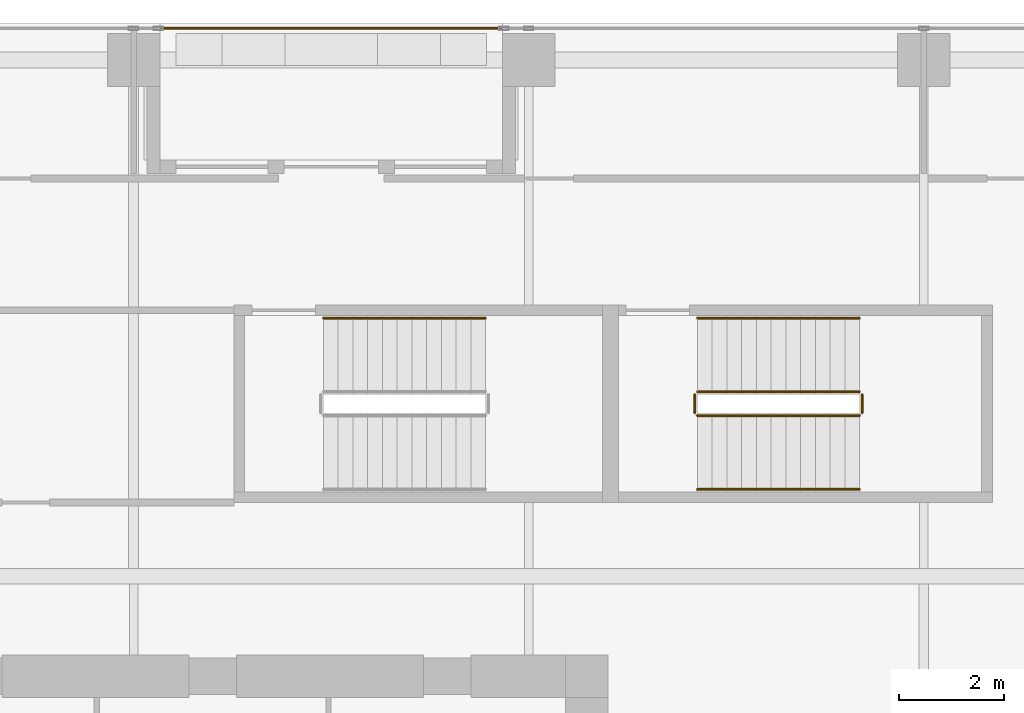
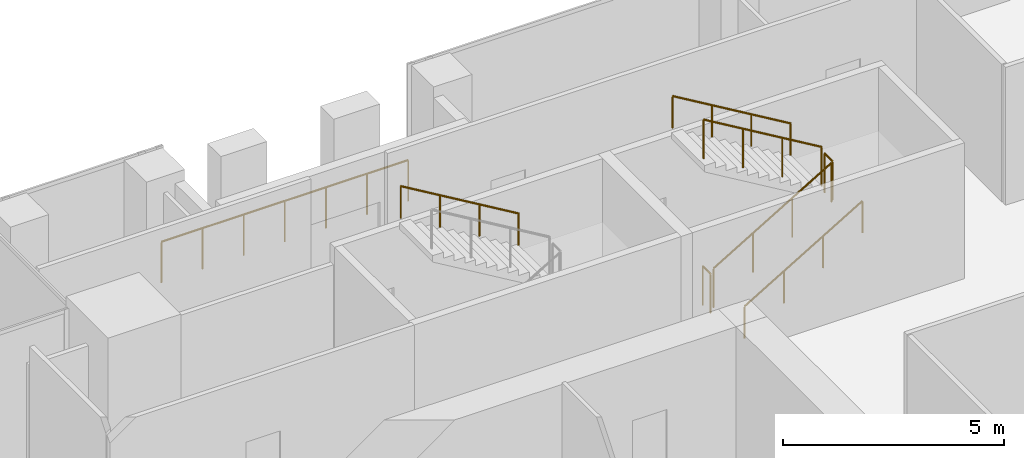
# One storey, part 39 of 40: 8 railings.
"""IFC4 building model written with IfcOpenShell, lengths in metres."""

import ifcopenshell
import ifcopenshell.guid

model = None  # the IFC model being written
_history = None  # IfcOwnerHistory: only IFC2X3 demands one
_inside = {}  # id of a spatial element -> (the spatial element, [elements in it])
_under = {}  # id of a project, library or spatial element -> (it, [spatial elements below it])
_declared = {}  # id of a project -> (the project, [libraries it declares])
_typed = {}  # id of a type object -> (the type object, [elements of that type])
_made_of = {}  # id of a material, layer set ... -> (it, [elements and type objects made of it])


def new_model(schema):
    """Start an empty IFC model of exactly this schema.

    Asked for "IFC4X3", IfcOpenShell would pick the latest addendum, in which some entities
    have other attributes; the version numbers below select the first issue.
    IFC2X3 requires an IfcOwnerHistory on every rooted entity: one is made here for all.
    """
    global model, _history
    if schema == "IFC4X3":
        model = ifcopenshell.file(schema_version=(4, 3, 0, 0))
    else:
        model = ifcopenshell.file(schema=schema)
    _inside.clear()
    _under.clear()
    _declared.clear()
    _typed.clear()
    _made_of.clear()
    _history = None
    if model.schema == "IFC2X3":
        org = make("IfcOrganization", Name="unknown")
        user = make(
            "IfcPersonAndOrganization",
            ThePerson=make("IfcPerson", FamilyName="unknown"),
            TheOrganization=org,
        )
        app = make(
            "IfcApplication",
            ApplicationDeveloper=org,
            Version="unknown",
            ApplicationFullName="unknown",
            ApplicationIdentifier="unknown",
        )
        _history = make(
            "IfcOwnerHistory",
            OwningUser=user,
            OwningApplication=app,
            ChangeAction="ADDED",
            CreationDate=0,
        )
    return model


def make(cls, **values):
    """One entity of the class cls with the attributes given. An attribute that is None is left unset."""
    return model.create_entity(
        cls, **{name: value for name, value in values.items() if value is not None}
    )


def rooted(cls, **values):
    """An entity with a GlobalId (a new one), such as an element, a storey or a relation."""
    return make(cls, GlobalId=ifcopenshell.guid.new(), OwnerHistory=_history, **values)


def si_unit(unit_type, name, prefix=None):
    """IfcSIUnit, for example si_unit("LENGTHUNIT", "METRE", prefix="MILLI")."""
    return make("IfcSIUnit", UnitType=unit_type, Prefix=prefix, Name=name)


def assignment(units):
    """IfcUnitAssignment: the units of a project."""
    return None if units is None else make("IfcUnitAssignment", Units=units)


def point(xyz):
    """IfcCartesianPoint."""
    return None if xyz is None else make("IfcCartesianPoint", Coordinates=xyz)


def direction(xyz):
    """IfcDirection."""
    return None if xyz is None else make("IfcDirection", DirectionRatios=xyz)


def frame(location, z_axis=None, x_axis=None):
    """IfcAxis2Placement3D, a coordinate frame: its origin and axes. An axis left out is left unset."""
    return make(
        "IfcAxis2Placement3D",
        Location=point(location),
        Axis=direction(z_axis),
        RefDirection=direction(x_axis),
    )


def frame_2d(location, x_axis=None):
    """IfcAxis2Placement2D, a coordinate frame in the plane: its origin and x axis."""
    return make(
        "IfcAxis2Placement2D", Location=point(location), RefDirection=direction(x_axis)
    )


def origin():
    """The frame at (0, 0, 0) with its axes left unset."""
    return frame((0.0, 0.0, 0.0))


def origin_2d():
    """The frame at (0, 0) in the plane with its x axis left unset."""
    return frame_2d((0.0, 0.0))


def place(relative_to, where):
    """IfcLocalPlacement: puts the frame where relative to a parent placement (None: the world)."""
    return make(
        "IfcLocalPlacement", PlacementRelTo=relative_to, RelativePlacement=where
    )


def context(
    kind, dimensions, precision=None, world=None, true_north=None, identifier=None
):
    """IfcGeometricRepresentationContext, for example the 3D "Model" context."""
    return make(
        "IfcGeometricRepresentationContext",
        ContextIdentifier=identifier,
        ContextType=kind,
        CoordinateSpaceDimension=dimensions,
        Precision=precision,
        WorldCoordinateSystem=world,
        TrueNorth=true_north,
    )


def subcontext(parent, identifier, kind, view, scale=None):
    """IfcGeometricRepresentationSubContext, for example "Body" below "Model"."""
    return make(
        "IfcGeometricRepresentationSubContext",
        ContextIdentifier=identifier,
        ContextType=kind,
        ParentContext=parent,
        TargetScale=scale,
        TargetView=view,
    )


def project(units=None, contexts=None):
    """IfcProject with its units and contexts."""
    return rooted(
        "IfcProject",
        Name="project",
        RepresentationContexts=contexts,
        UnitsInContext=assignment(units),
    )


def spatial(cls, under=None, at=None, **own):
    """A site, building, storey or space (cls), placed at a placement, below another one or the project."""
    s = rooted(cls, ObjectPlacement=at, **own)
    if under is not None:
        _under.setdefault(under.id(), (under, []))[1].append(s)
    return s


def profile(cls, at=None, kind="AREA", **sizes):
    """A parametric profile (cls). Its sizes go by their IFC names, for example OverallWidth=200.0."""
    return make(cls, ProfileType=kind, Position=at, **sizes)


def circle(**sizes):
    """IfcCircleProfileDef."""
    return profile("IfcCircleProfileDef", **sizes)


def extrude(swept, where, along, depth):
    """IfcExtrudedAreaSolid: the profile swept, set in the frame where, extruded along a direction by depth."""
    return make(
        "IfcExtrudedAreaSolid",
        SweptArea=swept,
        Position=where,
        ExtrudedDirection=direction(along),
        Depth=depth,
    )


def shape(context_of_items, identifier, shape_type, items):
    """IfcShapeRepresentation: the items that make up one representation, for example the "Body"."""
    return make(
        "IfcShapeRepresentation",
        ContextOfItems=context_of_items,
        RepresentationIdentifier=identifier,
        RepresentationType=shape_type,
        Items=items,
    )


def source(mapping_origin, context_of_items, identifier, shape_type, items):
    """IfcRepresentationMap: a shape defined once, which mapped items show again and again."""
    return make(
        "IfcRepresentationMap",
        MappingOrigin=mapping_origin,
        MappedRepresentation=shape(context_of_items, identifier, shape_type, items),
    )


def transform(
    local_origin,
    x_axis=None,
    y_axis=None,
    z_axis=None,
    scale=None,
    scale2=None,
    scale3=None,
    uniform=True,
):
    """IfcCartesianTransformationOperator3D, or its non-uniform kind. x_axis, y_axis, z_axis: its Axis1, 2, 3."""
    if uniform:
        return make(
            "IfcCartesianTransformationOperator3D",
            Axis1=direction(x_axis),
            Axis2=direction(y_axis),
            LocalOrigin=point(local_origin),
            Scale=scale,
            Axis3=direction(z_axis),
        )
    return make(
        "IfcCartesianTransformationOperator3DnonUniform",
        Axis1=direction(x_axis),
        Axis2=direction(y_axis),
        LocalOrigin=point(local_origin),
        Scale=scale,
        Axis3=direction(z_axis),
        Scale2=scale2,
        Scale3=scale3,
    )


def mapped(mapping_source, mapping_target):
    """IfcMappedItem: shows the shape of a source again, moved by a transform."""
    return make(
        "IfcMappedItem", MappingSource=mapping_source, MappingTarget=mapping_target
    )


def material(Name=None, Category=None):
    """IfcMaterial."""
    return make("IfcMaterial", Name=Name, Category=Category)


def made_of(thing, what):
    """Note that an element or type object is made of a material, layer set ...; save() writes the relation."""
    if what is not None:
        _made_of.setdefault(what.id(), (what, []))[1].append(thing)
    return thing


def type_object(cls, material=None, **own):
    """A type object (cls), such as IfcWallType, which elements share."""
    return made_of(rooted(cls, **own), material)


def element(
    cls,
    number,
    at=None,
    inside=None,
    cuts=None,
    type_object=None,
    material=None,
    context=None,
    identifier="Body",
    shape_type=None,
    held_by="IfcProductDefinitionShape",
    body=None,
    shapes=None,
    **own,
):
    """One element of the class cls, such as IfcWall. Its Tag is "e" and its number.

    at: its placement. inside: the storey or other place that contains it. cuts: it is an
    opening in that element (IfcRelVoidsElement). A single representation is given by context,
    identifier, shape_type and body (its items); several are given by shapes. held_by: the class
    of the entity that holds the representations. save() writes the other relations.
    """
    e = rooted(cls, Tag="e%d" % number, ObjectPlacement=at, **own)
    if body is not None:
        shapes = [shape(context, identifier, shape_type, body)]
    if shapes is not None:
        e.Representation = make(held_by, Representations=shapes)
    if inside is not None:
        _inside.setdefault(inside.id(), (inside, []))[1].append(e)
    if cuts is not None:
        rooted(
            "IfcRelVoidsElement", RelatingBuildingElement=cuts, RelatedOpeningElement=e
        )
    if type_object is not None:
        _typed.setdefault(type_object.id(), (type_object, []))[1].append(e)
    return made_of(e, material)


def aggregate(whole, parts):
    """IfcRelAggregates: a whole, such as a stair, and the parts it consists of."""
    return rooted("IfcRelAggregates", RelatingObject=whole, RelatedObjects=parts)


def save(model, path):
    """Write the relations noted so far, then the file.

    IfcRelAggregates (storeys below a building ...), IfcRelContainedInSpatialStructure (elements
    in a storey), IfcRelDefinesByType, IfcRelAssociatesMaterial and IfcRelDeclares: one each for
    every whole, place, type object, material and project.
    """
    for whole, parts in _under.values():
        aggregate(whole, parts)
    for where, things in _inside.values():
        rooted(
            "IfcRelContainedInSpatialStructure",
            RelatedElements=things,
            RelatingStructure=where,
        )
    for kind, things in _typed.values():
        rooted("IfcRelDefinesByType", RelatedObjects=things, RelatingType=kind)
    for what, things in _made_of.values():
        rooted("IfcRelAssociatesMaterial", RelatedObjects=things, RelatingMaterial=what)
    for by, libraries in _declared.values():
        rooted("IfcRelDeclares", RelatingContext=by, RelatedDefinitions=libraries)
    model.write(path)


model = new_model("IFC4")

# Units and contexts
model_context = context("Model", 3, precision=1e-05, world=origin(), true_north=direction((0.0, 1.0)))
body_context = subcontext(model_context, "Body", "Model", "MODEL_VIEW")
ifc_project = project(units=[si_unit("LENGTHUNIT", "METRE"), si_unit("AREAUNIT", "SQUARE_METRE"), si_unit("VOLUMEUNIT", "CUBIC_METRE"), si_unit("PLANEANGLEUNIT", "RADIAN"), si_unit("MASSUNIT", "GRAM", prefix="KILO")], contexts=[model_context])

# Site, building, storey
site_placement = place(None, origin())
site = spatial("IfcSite", under=ifc_project, at=site_placement, CompositionType="ELEMENT")
building_placement = place(site_placement, origin())
building = spatial("IfcBuilding", under=site, at=building_placement, Name="Khomas Fold Tower", CompositionType="ELEMENT")
storey_placement = place(building_placement, frame((0.0, 0.0, 204.699951171875)))
storey = spatial("IfcBuildingStorey", under=building, at=storey_placement, Name="L45", CompositionType="ELEMENT", Elevation=204.699951171875)

# Railings
ifc_material_1 = material(Name="Powder-coated steel", Category="steel")
railing_type_1 = type_object("IfcRailingType", Name="Balcony guard", PredefinedType="GUARDRAIL", material=ifc_material_1)
shared_shape_1 = source(origin(), body_context, "Body", "SweptSolid", [
    extrude(circle(Radius=0.02490234375, at=origin_2d()), frame((0.0, 0.0, 1.125), z_axis=(1.0, 0.0, 0.0), x_axis=(0.0, 1.0, 0.0)), (0.0, 0.0, 1.0), 6.43994140625),
    extrude(circle(Radius=0.02001953125, at=origin_2d()), origin(), (0.0, 0.0, 1.0), 1.099853515625),
    extrude(circle(Radius=0.02001953125, at=origin_2d()), frame((1.0732421875, 0.0, 0.0)), (0.0, 0.0, 1.0), 1.099853515625),
    extrude(circle(Radius=0.02001953125, at=origin_2d()), frame((2.146728515625, 0.0, 0.0)), (0.0, 0.0, 1.0), 1.099853515625),
    extrude(circle(Radius=0.02001953125, at=origin_2d()), frame((3.219970703125, 0.0, 0.0)), (0.0, 0.0, 1.0), 1.099853515625),
    extrude(circle(Radius=0.02001953125, at=origin_2d()), frame((4.293212890625, 0.0, 0.0)), (0.0, 0.0, 1.0), 1.099853515625),
    extrude(circle(Radius=0.02001953125, at=origin_2d()), frame((5.36669921875, 0.0, 0.0)), (0.0, 0.0, 1.0), 1.099853515625),
    extrude(circle(Radius=0.02001953125, at=origin_2d()), frame((6.43994140625, 0.0, 0.0)), (0.0, 0.0, 1.0), 1.099853515625),
])
railing_1_placement = place(storey_placement, frame((12.530029296875, 50.89990234375, -0.044921875)))
element("IfcRailing", 1, at=railing_1_placement, inside=storey, type_object=railing_type_1, Name="Balcony guard BAL-L45-N1", PredefinedType="GUARDRAIL", context=body_context, shape_type="MappedRepresentation", body=[
    mapped(shared_shape_1, transform((0.0, 0.0, 0.0))),
])
ifc_material_2 = material(Name="Steel balustrade", Category="steel")
railing_type_2 = type_object("IfcRailingType", Name="Stair guard", PredefinedType="GUARDRAIL", material=ifc_material_2)
shared_shape_2 = source(origin(), body_context, "Body", "SweptSolid", [
    extrude(circle(Radius=0.02392578125, at=origin_2d()), frame((0.0, 0.0, 1.076171875), z_axis=(0.0, 1.0, 0.0), x_axis=(-1.0, 0.0, 0.0)), (0.0, 0.0, 1.0), 0.349853515625),
    extrude(circle(Radius=0.02099609375, at=origin_2d()), origin(), (0.0, 0.0, 1.0), 1.052001953125),
    extrude(circle(Radius=0.02099609375, at=origin_2d()), frame((0.0, 0.349853515625, 0.0)), (0.0, 0.0, 1.0), 1.052001953125),
])
for number, where, name in (
    (2, (25.830078125, 43.60009765625, 2.0), "L45 ST3 stair guard 2"),
    (3, (22.64990234375, 43.60009765625, 0.0), "L45 ST3 stair guard 4"),
):
    element("IfcRailing", number, at=place(storey_placement, frame(where)), inside=storey, type_object=railing_type_2, Name=name, PredefinedType="GUARDRAIL", context=body_context, shape_type="MappedRepresentation", body=[
        mapped(shared_shape_2, transform((0.0, 0.0, 0.0))),
    ])
ifc_material_3 = material(Name="Steel handrail", Category="steel")
railing_type_3 = type_object("IfcRailingType", Name="Stair handrail", PredefinedType="HANDRAIL", material=ifc_material_3)
shared_shape_3 = source(origin(), body_context, "Body", "SweptSolid", [
    extrude(circle(Radius=0.02392578125, at=origin_2d()), frame((0.0, 0.0, 0.8759765625), z_axis=(-0.859290745958, 0.0, 0.51148745235), x_axis=(0.0, -1.0, 0.0)), (0.0, 0.0, 1.0), 3.584228515625),
    extrude(circle(Radius=0.02099609375, at=origin_2d()), origin(), (0.0, 0.0, 1.0), 0.851806640625),
    extrude(circle(Radius=0.02099609375, at=origin_2d()), frame((-1.026611328125, 0.0, 0.611083984375)), (0.0, 0.0, 1.0), 0.851806640625),
    extrude(circle(Radius=0.02099609375, at=origin_2d()), frame((-2.05322265625, 0.0, 1.22216796875)), (0.0, 0.0, 1.0), 0.851806640625),
    extrude(circle(Radius=0.02099609375, at=origin_2d()), frame((-3.079833984375, 0.0, 1.833251953125)), (0.0, 0.0, 1.0), 0.851806640625),
])
railing_2_placement = place(storey_placement, frame((18.679931640625, 45.39990234375, 2.166748046875)))
element("IfcRailing", 4, at=railing_2_placement, inside=storey, type_object=railing_type_3, Name="L45 ST1 stair handrail 2", PredefinedType="HANDRAIL", context=body_context, shape_type="MappedRepresentation", body=[
    mapped(shared_shape_3, transform((0.0, 0.0, 0.0))),
])
shared_shape_4 = source(origin(), body_context, "Body", "SweptSolid", [
    extrude(circle(Radius=0.02392578125, at=origin_2d()), frame((0.0, 0.0, 1.076171875), z_axis=(0.859308565015, 0.0, 0.511457515432), x_axis=(0.0, 1.0, 0.0)), (0.0, 0.0, 1.0), 3.58447265625),
    extrude(circle(Radius=0.02099609375, at=origin_2d()), origin(), (0.0, 0.0, 1.0), 1.052001953125),
    extrude(circle(Radius=0.02099609375, at=origin_2d()), frame((1.026611328125, 0.0, 0.611083984375)), (0.0, 0.0, 1.0), 1.052001953125),
    extrude(circle(Radius=0.02099609375, at=origin_2d()), frame((2.053466796875, 0.0, 1.22216796875)), (0.0, 0.0, 1.0), 1.052001953125),
    extrude(circle(Radius=0.02099609375, at=origin_2d()), frame((3.080078125, 0.0, 1.833251953125)), (0.0, 0.0, 1.0), 1.052001953125),
])
railing_3_placement = place(storey_placement, frame((22.699951171875, 43.550048828125, 0.166748046875)))
element("IfcRailing", 5, at=railing_3_placement, inside=storey, type_object=railing_type_2, Name="L45 ST3 stair guard 1", PredefinedType="GUARDRAIL", context=body_context, shape_type="MappedRepresentation", body=[
    mapped(shared_shape_4, transform((0.0, 0.0, 0.0))),
])
shared_shape_5 = source(origin(), body_context, "Body", "SweptSolid", [
    extrude(circle(Radius=0.02392578125, at=origin_2d()), frame((0.0, 0.0, 1.076171875), z_axis=(-0.859308565015, 0.0, 0.511457515432), x_axis=(0.0, -1.0, 0.0)), (0.0, 0.0, 1.0), 3.58447265625),
    extrude(circle(Radius=0.02099609375, at=origin_2d()), origin(), (0.0, 0.0, 1.0), 1.052001953125),
    extrude(circle(Radius=0.02099609375, at=origin_2d()), frame((-1.026611328125, 0.0, 0.611083984375)), (0.0, 0.0, 1.0), 1.052001953125),
    extrude(circle(Radius=0.02099609375, at=origin_2d()), frame((-2.053466796875, 0.0, 1.22216796875)), (0.0, 0.0, 1.0), 1.052001953125),
    extrude(circle(Radius=0.02099609375, at=origin_2d()), frame((-3.080078125, 0.0, 1.833251953125)), (0.0, 0.0, 1.0), 1.052001953125),
])
railing_4_placement = place(storey_placement, frame((25.780029296875, 44.0, 2.166748046875)))
element("IfcRailing", 6, at=railing_4_placement, inside=storey, type_object=railing_type_2, Name="L45 ST3 stair guard 3", PredefinedType="GUARDRAIL", context=body_context, shape_type="MappedRepresentation", body=[
    mapped(shared_shape_5, transform((0.0, 0.0, 0.0))),
])
shared_shape_6 = source(origin(), body_context, "Body", "SweptSolid", [
    extrude(circle(Radius=0.02392578125, at=origin_2d()), frame((0.0, 0.0, 0.8759765625), z_axis=(0.859308565015, 0.0, 0.511457515432), x_axis=(0.0, 1.0, 0.0)), (0.0, 0.0, 1.0), 3.58447265625),
    extrude(circle(Radius=0.02099609375, at=origin_2d()), origin(), (0.0, 0.0, 1.0), 0.851806640625),
    extrude(circle(Radius=0.02099609375, at=origin_2d()), frame((1.026611328125, 0.0, 0.611083984375)), (0.0, 0.0, 1.0), 0.851806640625),
    extrude(circle(Radius=0.02099609375, at=origin_2d()), frame((2.053466796875, 0.0, 1.22216796875)), (0.0, 0.0, 1.0), 0.851806640625),
    extrude(circle(Radius=0.02099609375, at=origin_2d()), frame((3.080078125, 0.0, 1.833251953125)), (0.0, 0.0, 1.0), 0.851806640625),
])
railing_5_placement = place(storey_placement, frame((22.699951171875, 42.14990234375, 0.166748046875)))
element("IfcRailing", 7, at=railing_5_placement, inside=storey, type_object=railing_type_3, Name="L45 ST3 stair handrail 1", PredefinedType="HANDRAIL", context=body_context, shape_type="MappedRepresentation", body=[
    mapped(shared_shape_6, transform((0.0, 0.0, 0.0))),
])
shared_shape_7 = source(origin(), body_context, "Body", "SweptSolid", [
    extrude(circle(Radius=0.02392578125, at=origin_2d()), frame((0.0, 0.0, 0.8759765625), z_axis=(-0.859308565015, 0.0, 0.511457515432), x_axis=(0.0, -1.0, 0.0)), (0.0, 0.0, 1.0), 3.58447265625),
    extrude(circle(Radius=0.02099609375, at=origin_2d()), origin(), (0.0, 0.0, 1.0), 0.851806640625),
    extrude(circle(Radius=0.02099609375, at=origin_2d()), frame((-1.026611328125, 0.0, 0.611083984375)), (0.0, 0.0, 1.0), 0.851806640625),
    extrude(circle(Radius=0.02099609375, at=origin_2d()), frame((-2.053466796875, 0.0, 1.22216796875)), (0.0, 0.0, 1.0), 0.851806640625),
    extrude(circle(Radius=0.02099609375, at=origin_2d()), frame((-3.080078125, 0.0, 1.833251953125)), (0.0, 0.0, 1.0), 0.851806640625),
])
railing_6_placement = place(storey_placement, frame((25.780029296875, 45.39990234375, 2.166748046875)))
element("IfcRailing", 8, at=railing_6_placement, inside=storey, type_object=railing_type_3, Name="L45 ST3 stair handrail 2", PredefinedType="HANDRAIL", context=body_context, shape_type="MappedRepresentation", body=[
    mapped(shared_shape_7, transform((0.0, 0.0, 0.0))),
])

save(model, "model.ifc")
